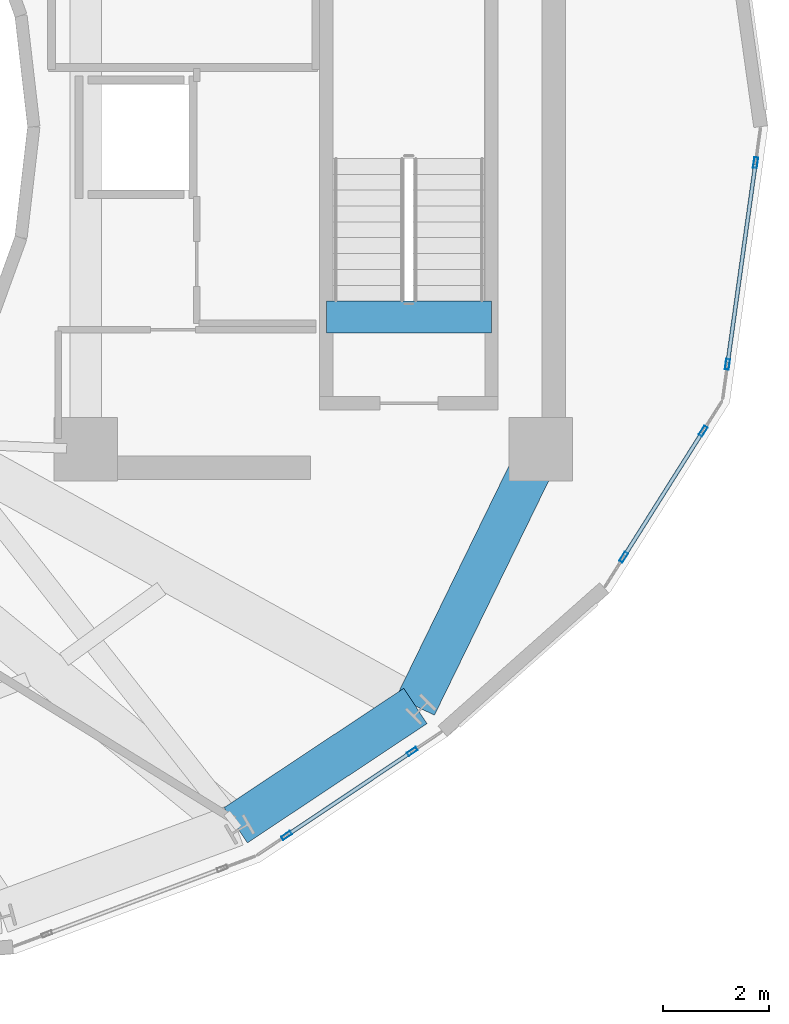
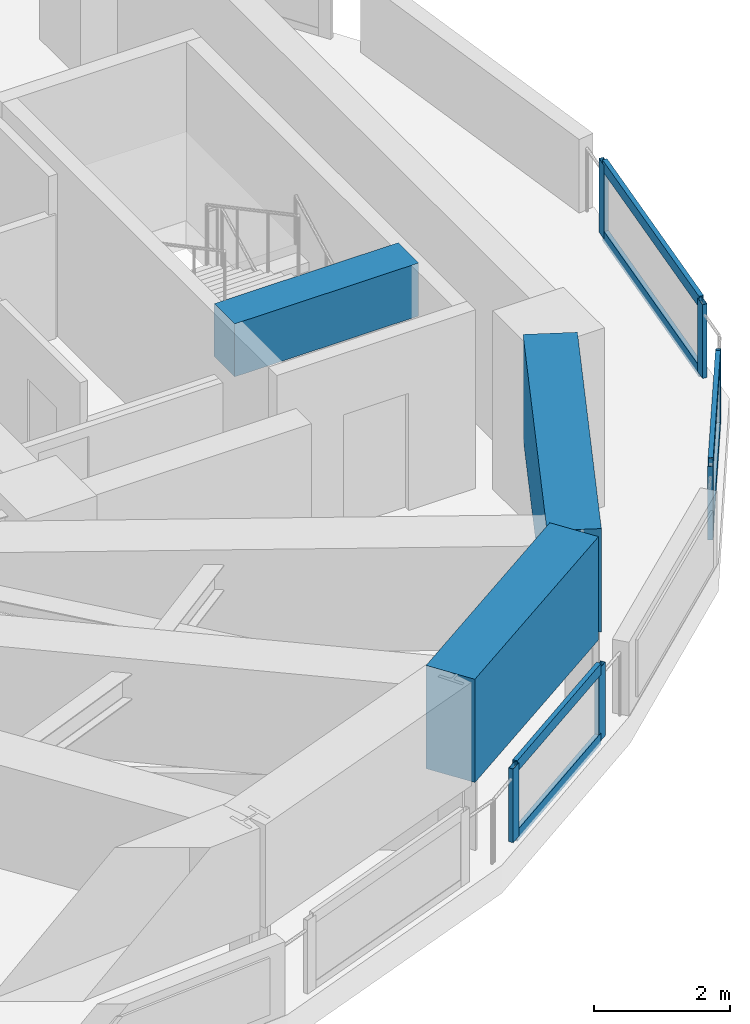
# One storey, part 12 of 21: 12 members, 3 beams, 3 elements without a shape of their own.
"""IFC4 building model written with IfcOpenShell, lengths in metres."""

from ifc_helpers import new_model, si_unit, direction, frame, origin, origin_2d, place, context, subcontext, project, spatial, rectangle, hollow_rectangle, extrude, material, layer, layer_set, material_profile, profile_set, type_object, element, aggregate, save


model = new_model("IFC4")

# Units and contexts
model_context = context("Model", 3, precision=1e-05, world=origin(), true_north=direction((0.0, 1.0)))
body_context = subcontext(model_context, "Body", "Model", "MODEL_VIEW")
ifc_project = project(units=[si_unit("LENGTHUNIT", "METRE"), si_unit("AREAUNIT", "SQUARE_METRE"), si_unit("VOLUMEUNIT", "CUBIC_METRE"), si_unit("PLANEANGLEUNIT", "RADIAN"), si_unit("MASSUNIT", "GRAM", prefix="KILO")], contexts=[model_context])

# Site, building, storey
site_placement = place(None, origin())
site = spatial("IfcSite", under=ifc_project, at=site_placement, CompositionType="ELEMENT")
building_placement = place(site_placement, origin())
building = spatial("IfcBuilding", under=site, at=building_placement, Name="Solvane Sanctuary Tower", CompositionType="ELEMENT")
storey_placement = place(building_placement, frame((0.0, 0.0, 260.39990234375)))
storey = spatial("IfcBuildingStorey", under=building, at=storey_placement, Name="L79", CompositionType="ELEMENT", Elevation=260.39990234375)

# Beams
ifc_material_1 = material(Name="Concrete C70/85", Category="concrete")
ifc_material_profile_1 = material_profile(ifc_material_1, rectangle(XDim=0.60009765625, YDim=0.949951171875, at=origin_2d()), Name="RC600X950")
ifc_profile_set_1 = profile_set([ifc_material_profile_1], Name="Concrete C70/85")
beam_type_1 = type_object("IfcBeamType", Name="Beam B-COUPLE RC600X950", PredefinedType="LINTEL", material=ifc_profile_set_1)
beam_1_placement = place(storey_placement, frame((44.64990234375, 19.399169921875, 2.72509765625), z_axis=(1.0, 0.0, 0.0), x_axis=(0.0, 1.0, 0.0)))
element("IfcBeam", 1, at=beam_1_placement, inside=storey, type_object=beam_type_1, Name="L79 ST-2 Stair Floor Landing Trimmer", PredefinedType="LINTEL", context=body_context, shape_type="SweptSolid", body=[
    extrude(rectangle(XDim=0.60009765625, YDim=0.949951171875, at=origin_2d()), origin(), (0.0, 0.0, 1.0), 3.1201171875),
])
ifc_material_profile_2 = material_profile(ifc_material_1, rectangle(XDim=0.800048828125, YDim=1.85009765625, at=origin_2d()), Name="RC800X1850")
ifc_profile_set_2 = profile_set([ifc_material_profile_2], Name="Concrete C70/85")
beam_type_2 = type_object("IfcBeamType", Name="Beam B-XFER-BLK RC800X1850", PredefinedType="BEAM", material=ifc_profile_set_2)
beam_2_placement = place(storey_placement, frame((42.93603515625, 9.792724609375, 2.275146484375), z_axis=(0.833190720358, 0.552985735357, 0.0), x_axis=(-0.552985735357, 0.833190720358, 0.0)))
element("IfcBeam", 2, at=beam_2_placement, inside=storey, type_object=beam_type_2, Name="L79 Perimeter Step Transfer Ring NTC13-NTC14", PredefinedType="BEAM", context=body_context, shape_type="SweptSolid", body=[
    extrude(rectangle(XDim=0.800048828125, YDim=1.85009765625, at=origin_2d()), origin(), (0.0, 0.0, 1.0), 4.07763671875),
])
beam_3_placement = place(storey_placement, frame((46.33349609375, 12.047607421875, 2.275146484375), z_axis=(0.438353943191, 0.898802436851, 0.0), x_axis=(-0.898802436851, 0.438353943191, 0.0)))
element("IfcBeam", 3, at=beam_3_placement, inside=storey, type_object=beam_type_2, Name="L79 Perimeter Step Transfer Ring NTC14-CE2", PredefinedType="BEAM", context=body_context, shape_type="SweptSolid", body=[
    extrude(rectangle(XDim=0.800048828125, YDim=1.85009765625, at=origin_2d()), origin(), (0.0, 0.0, 1.0), 5.038818359375),
])

# Curtain wall, members
ifc_material_2 = material(Name="Anodised Aluminium 6063-T6", Category="aluminium")
ifc_layer = layer(ifc_material_2, 0.219970703125, Name="Anodised Aluminium 6063-T6")
ifc_layer_set = layer_set([ifc_layer], Name="Anodised Aluminium 6063-T6")
curtain_wall_type = type_object("IfcCurtainWallType", Name="Curtain Wall CW-CROWN", PredefinedType="NOTDEFINED", material=ifc_layer_set)
curtain_wall_1_placement = place(storey_placement, origin())
curtain_wall_1 = element("IfcCurtainWall", 4, at=curtain_wall_1_placement, inside=storey, type_object=curtain_wall_type, Name="L79 Crown Fritted Lantern Curtain Wall 20", PredefinedType="NOTDEFINED")
ifc_material_profile_3 = material_profile(ifc_material_2, hollow_rectangle(XDim=0.074951171875, YDim=0.199951171875, WallThickness=0.00390625, at=origin_2d()), Name="ALU200X75X4")
ifc_profile_set_3 = profile_set([ifc_material_profile_3], Name="Anodised Aluminium 6063-T6")
member_type_1 = type_object("IfcMemberType", Name="Member M-CW-MUL-1 ALU200X75X4", PredefinedType="MULLION", material=ifc_profile_set_3)
member_1_placement = place(storey_placement, frame((43.898681640625, 9.59912109375, 0.0), z_axis=(0.0, 0.0, 1.0), x_axis=(-0.555895447079, 0.831252219195, 0.0)))
member_1 = element("IfcMember", 5, at=member_1_placement, type_object=member_type_1, Name="CW-CROWN mullion 1", PredefinedType="MULLION", context=body_context, shape_type="SweptSolid", body=[
    extrude(hollow_rectangle(XDim=0.074951171875, YDim=0.199951171875, WallThickness=0.00390625, at=origin_2d()), origin(), (0.0, 0.0, 1.0), 1.320068359375),
])
member_2_placement = place(storey_placement, frame((46.2744140625, 11.18798828125, 0.0), z_axis=(0.0, 0.0, 1.0), x_axis=(-0.555895447079, 0.831252219195, 0.0)))
member_2 = element("IfcMember", 6, at=member_2_placement, type_object=member_type_1, Name="CW-CROWN mullion 2", PredefinedType="MULLION", context=body_context, shape_type="SweptSolid", body=[
    extrude(hollow_rectangle(XDim=0.074951171875, YDim=0.199951171875, WallThickness=0.00390625, at=origin_2d()), origin(), (0.0, 0.0, 1.0), 1.320068359375),
])

curtain_wall_2_placement = place(storey_placement, origin())
curtain_wall_2 = element("IfcCurtainWall", 7, at=curtain_wall_2_placement, inside=storey, type_object=curtain_wall_type, Name="L79 Crown Fritted Lantern Curtain Wall 22", PredefinedType="NOTDEFINED")
member_3_placement = place(storey_placement, frame((50.269287109375, 14.86083984375, 0.0), z_axis=(0.0, 0.0, 1.0), x_axis=(-0.845808282613, 0.533486971784, 0.0)))
member_3 = element("IfcMember", 8, at=member_3_placement, type_object=member_type_1, Name="CW-CROWN mullion 1", PredefinedType="MULLION", context=body_context, shape_type="SweptSolid", body=[
    extrude(hollow_rectangle(XDim=0.074951171875, YDim=0.199951171875, WallThickness=0.00390625, at=origin_2d()), origin(), (0.0, 0.0, 1.0), 1.320068359375),
])
member_4_placement = place(storey_placement, frame((51.772705078125, 17.244140625, 0.0), z_axis=(0.0, 0.0, 1.0), x_axis=(-0.845808282613, 0.533486971784, 0.0)))
member_4 = element("IfcMember", 9, at=member_4_placement, type_object=member_type_1, Name="CW-CROWN mullion 2", PredefinedType="MULLION", context=body_context, shape_type="SweptSolid", body=[
    extrude(hollow_rectangle(XDim=0.074951171875, YDim=0.199951171875, WallThickness=0.00390625, at=origin_2d()), origin(), (0.0, 0.0, 1.0), 1.320068359375),
])

curtain_wall_3_placement = place(storey_placement, origin())
curtain_wall_3 = element("IfcCurtainWall", 10, at=curtain_wall_3_placement, inside=storey, type_object=curtain_wall_type, Name="L79 Crown Fritted Lantern Curtain Wall 23", PredefinedType="NOTDEFINED")
member_5_placement = place(storey_placement, frame((52.234130859375, 18.506591796875, 0.0), z_axis=(0.0, 0.0, 1.0), x_axis=(-0.990440794692, 0.1379385088, 0.0)))
member_5 = element("IfcMember", 11, at=member_5_placement, type_object=member_type_1, Name="CW-CROWN mullion 1", PredefinedType="MULLION", context=body_context, shape_type="SweptSolid", body=[
    extrude(hollow_rectangle(XDim=0.074951171875, YDim=0.199951171875, WallThickness=0.00390625, at=origin_2d()), origin(), (0.0, 0.0, 1.0), 1.320068359375),
])
member_6_placement = place(storey_placement, frame((52.76513671875, 22.319091796875, 0.0), z_axis=(0.0, 0.0, 1.0), x_axis=(-0.990440794692, 0.1379385088, 0.0)))
member_6 = element("IfcMember", 12, at=member_6_placement, type_object=member_type_1, Name="CW-CROWN mullion 2", PredefinedType="MULLION", context=body_context, shape_type="SweptSolid", body=[
    extrude(hollow_rectangle(XDim=0.074951171875, YDim=0.199951171875, WallThickness=0.00390625, at=origin_2d()), origin(), (0.0, 0.0, 1.0), 1.320068359375),
])

# Member
ifc_material_profile_4 = material_profile(ifc_material_2, hollow_rectangle(XDim=0.074951171875, YDim=0.199951171875, WallThickness=0.00390625, at=origin_2d()), Name="ALU200X75X4")
ifc_profile_set_4 = profile_set([ifc_material_profile_4], Name="Anodised Aluminium 6063-T6")
member_type_2 = type_object("IfcMemberType", Name="Member M-CW-TRN-2 ALU200X75X4", PredefinedType="USERDEFINED", material=ifc_profile_set_4)
member_7_placement = place(storey_placement, frame((43.9296875, 9.619873046875, 0.03759765625), z_axis=(0.831280296431, 0.555853459795, 0.0), x_axis=(-0.555853459795, 0.831280296431, 0.0)))
member_7 = element("IfcMember", 13, at=member_7_placement, type_object=member_type_2, Name="CW-CROWN transom 1.1", ObjectType="TRANSOM", PredefinedType="USERDEFINED", context=body_context, shape_type="SweptSolid", body=[
    extrude(hollow_rectangle(XDim=0.074951171875, YDim=0.199951171875, WallThickness=0.00390625, at=origin_2d()), origin(), (0.0, 0.0, 1.0), 2.783203125),
])

member_8_placement = place(storey_placement, frame((43.9296875, 9.619873046875, 1.28271484375), z_axis=(0.831280296431, 0.555853459795, 0.0), x_axis=(-0.555853459795, 0.831280296431, 0.0)))
member_8 = element("IfcMember", 14, at=member_8_placement, type_object=member_type_2, Name="CW-CROWN transom 1.2", ObjectType="TRANSOM", PredefinedType="USERDEFINED", context=body_context, shape_type="SweptSolid", body=[
    extrude(hollow_rectangle(XDim=0.074951171875, YDim=0.199951171875, WallThickness=0.00390625, at=origin_2d()), origin(), (0.0, 0.0, 1.0), 2.783203125),
])

aggregate(curtain_wall_1, [member_1, member_2, member_7, member_8])

member_9_placement = place(storey_placement, frame((50.289306640625, 14.892578125, 0.03759765625), z_axis=(0.533530760469, 0.845780661657, 0.0), x_axis=(-0.845780661657, 0.533530760469, 0.0)))
member_9 = element("IfcMember", 15, at=member_9_placement, type_object=member_type_2, Name="CW-CROWN transom 1.1", ObjectType="TRANSOM", PredefinedType="USERDEFINED", context=body_context, shape_type="SweptSolid", body=[
    extrude(hollow_rectangle(XDim=0.074951171875, YDim=0.199951171875, WallThickness=0.00390625, at=origin_2d()), origin(), (0.0, 0.0, 1.0), 2.742919921875),
])

member_10_placement = place(storey_placement, frame((50.289306640625, 14.892578125, 1.28271484375), z_axis=(0.533530760469, 0.845780661657, 0.0), x_axis=(-0.845780661657, 0.533530760469, 0.0)))
member_10 = element("IfcMember", 16, at=member_10_placement, type_object=member_type_2, Name="CW-CROWN transom 1.2", ObjectType="TRANSOM", PredefinedType="USERDEFINED", context=body_context, shape_type="SweptSolid", body=[
    extrude(hollow_rectangle(XDim=0.074951171875, YDim=0.199951171875, WallThickness=0.00390625, at=origin_2d()), origin(), (0.0, 0.0, 1.0), 2.742919921875),
])

aggregate(curtain_wall_2, [member_3, member_4, member_9, member_10])

member_11_placement = place(storey_placement, frame((52.2392578125, 18.543701171875, 0.03759765625), z_axis=(0.137970270299, 0.990436370755, 0.0), x_axis=(-0.990436370755, 0.137970270299, 0.0)))
member_11 = element("IfcMember", 17, at=member_11_placement, type_object=member_type_2, Name="CW-CROWN transom 1.1", ObjectType="TRANSOM", PredefinedType="USERDEFINED", context=body_context, shape_type="SweptSolid", body=[
    extrude(hollow_rectangle(XDim=0.074951171875, YDim=0.199951171875, WallThickness=0.00390625, at=origin_2d()), origin(), (0.0, 0.0, 1.0), 3.7744140625),
])

member_12_placement = place(storey_placement, frame((52.2392578125, 18.543701171875, 1.28271484375), z_axis=(0.137970270299, 0.990436370755, 0.0), x_axis=(-0.990436370755, 0.137970270299, 0.0)))
member_12 = element("IfcMember", 18, at=member_12_placement, type_object=member_type_2, Name="CW-CROWN transom 1.2", ObjectType="TRANSOM", PredefinedType="USERDEFINED", context=body_context, shape_type="SweptSolid", body=[
    extrude(hollow_rectangle(XDim=0.074951171875, YDim=0.199951171875, WallThickness=0.00390625, at=origin_2d()), origin(), (0.0, 0.0, 1.0), 3.7744140625),
])

aggregate(curtain_wall_3, [member_5, member_6, member_11, member_12])

save(model, "model.ifc")
